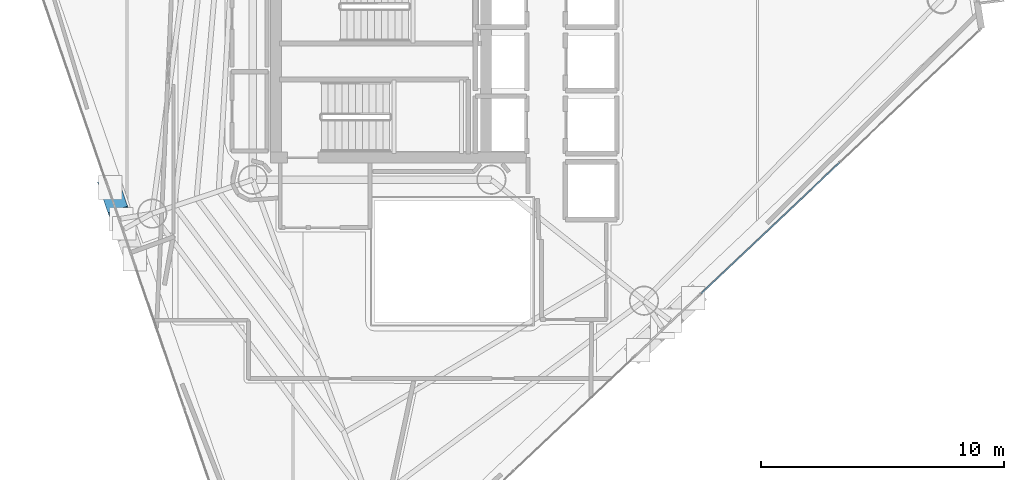
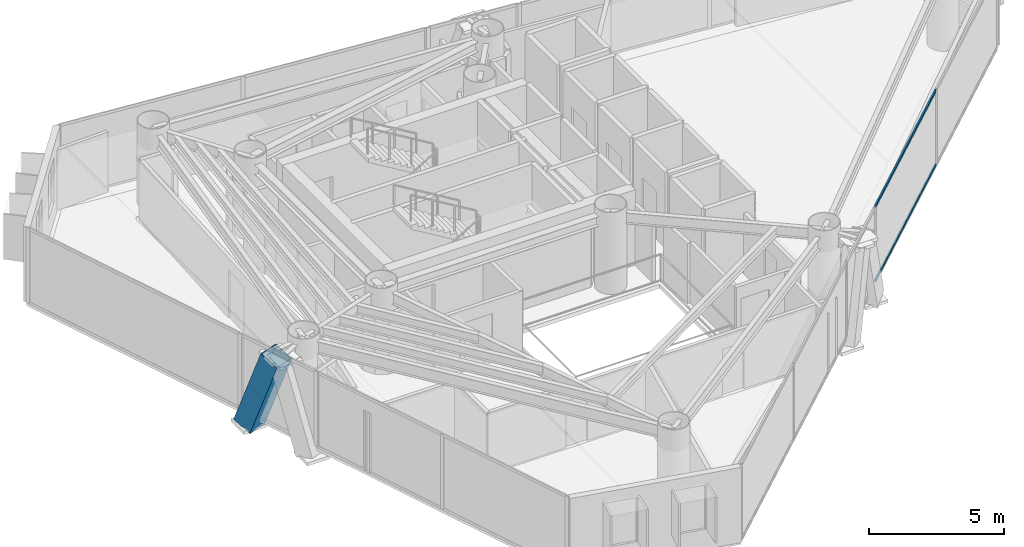
# One storey, part 6 of 20: 3 members, 1 element without a shape of its own.
"""IFC4 building model written with IfcOpenShell, lengths in metres."""

from ifc_helpers import new_model, si_unit, direction, frame, origin, origin_2d, place, context, subcontext, project, spatial, hollow_rectangle, extrude, material, layer, layer_set, material_profile, profile_set, type_object, element, aggregate, save


model = new_model("IFC4")

# Units and contexts
model_context = context("Model", 3, precision=1e-05, world=origin(), true_north=direction((0.0, 1.0)))
body_context = subcontext(model_context, "Body", "Model", "MODEL_VIEW")
ifc_project = project(units=[si_unit("LENGTHUNIT", "METRE"), si_unit("AREAUNIT", "SQUARE_METRE"), si_unit("VOLUMEUNIT", "CUBIC_METRE"), si_unit("PLANEANGLEUNIT", "RADIAN"), si_unit("MASSUNIT", "GRAM", prefix="KILO")], contexts=[model_context])

# Site, building, storey
site_placement = place(None, origin())
site = spatial("IfcSite", under=ifc_project, at=site_placement, CompositionType="ELEMENT")
building_placement = place(site_placement, origin())
building = spatial("IfcBuilding", under=site, at=building_placement, Name="Qianvela Tower", CompositionType="ELEMENT")
storey_placement = place(building_placement, frame((0.0, 0.0, 226.199951171875)))
storey = spatial("IfcBuildingStorey", under=building, at=storey_placement, Name="L58", CompositionType="ELEMENT", Elevation=226.199951171875)

# Curtain wall, members
ifc_material_1 = material(Name="Anodised Architectural Aluminium and Low-E Glass", Category="aluminium")
ifc_layer = layer(ifc_material_1, 0.159912109375)
ifc_layer_set = layer_set([ifc_layer], Name="Anodised Architectural Aluminium and Low-E Glass")
curtain_wall_type = type_object("IfcCurtainWallType", Name="CW-COLIV-Z56", PredefinedType="USERDEFINED", material=ifc_layer_set)
curtain_wall_placement = place(storey_placement, origin())
curtain_wall = element("IfcCurtainWall", 1, at=curtain_wall_placement, inside=storey, type_object=curtain_wall_type, Name="L58 CW-COLIV-Z56 Curtain Wall 06C", ObjectType="CURTAIN_WALL_SYSTEM", PredefinedType="USERDEFINED")
ifc_material_2 = material(Name="Anodised Architectural Aluminium 6063-T6", Category="aluminium")
ifc_material_profile_1 = material_profile(ifc_material_2, hollow_rectangle(XDim=0.06005859375, YDim=0.114990234375, WallThickness=0.00390625, at=origin_2d()), Name="ALU-TRAN-60x115")
ifc_profile_set_1 = profile_set([ifc_material_profile_1], Name="Anodised Architectural Aluminium 6063-T6")
member_type_1 = type_object("IfcMemberType", Name="CW-COLIV-Z56-TRAN", PredefinedType="USERDEFINED", material=ifc_profile_set_1)
member_1_placement = place(storey_placement, frame((47.01171875, 19.177490234375, 0.030029296875), z_axis=(0.726650897776, 0.68700689426, 0.0), x_axis=(-0.68700689426, 0.726650897776, 0.0)))
member_1 = element("IfcMember", 2, at=member_1_placement, type_object=member_type_1, Name="CW-5 transom 1.1", ObjectType="TRANSOM", PredefinedType="USERDEFINED", context=body_context, shape_type="SweptSolid", body=[
    extrude(hollow_rectangle(XDim=0.06005859375, YDim=0.114990234375, WallThickness=0.00390625, at=origin_2d()), origin(), (0.0, 0.0, 1.0), 7.83349609375),
])
member_2_placement = place(storey_placement, frame((47.01171875, 19.177490234375, 3.3701171875), z_axis=(0.726650897776, 0.68700689426, 0.0), x_axis=(-0.68700689426, 0.726650897776, 0.0)))
member_2 = element("IfcMember", 3, at=member_2_placement, type_object=member_type_1, Name="CW-5 transom 1.2", ObjectType="TRANSOM", PredefinedType="USERDEFINED", context=body_context, shape_type="SweptSolid", body=[
    extrude(hollow_rectangle(XDim=0.06005859375, YDim=0.114990234375, WallThickness=0.00390625, at=origin_2d()), origin(), (0.0, 0.0, 1.0), 7.83349609375),
])
aggregate(curtain_wall, [member_1, member_2])

# Member
ifc_material_3 = material(Name="Steel Q420GJC", Category="steel")
ifc_material_profile_2 = material_profile(ifc_material_3, hollow_rectangle(XDim=0.85009765625, YDim=0.85009765625, WallThickness=0.031982421875, at=origin_2d()), Name="MBOX-850x850x32")
ifc_profile_set_2 = profile_set([ifc_material_profile_2], Name="Steel Q420GJC")
member_type_2 = type_object("IfcMemberType", Name="MBR-MBRACE-850", PredefinedType="BRACE", material=ifc_profile_set_2)
member_3_placement = place(storey_placement, frame((22.75146484375, 23.5107421875, -0.48193359375), z_axis=(0.113932649169, -0.330168254771, 0.937020957607), x_axis=(0.945301023026, 0.326199288573, 0.0)))
element("IfcMember", 4, at=member_3_placement, inside=storey, type_object=member_type_2, Name="L58 Tier 9 Exterior Mega-Brace F2A", PredefinedType="BRACE", context=body_context, shape_type="SweptSolid", body=[
    extrude(hollow_rectangle(XDim=0.85009765625, YDim=0.85009765625, WallThickness=0.031982421875, at=origin_2d()), origin(), (0.0, 0.0, 1.0), 3.82080078125),
])

save(model, "model.ifc")
